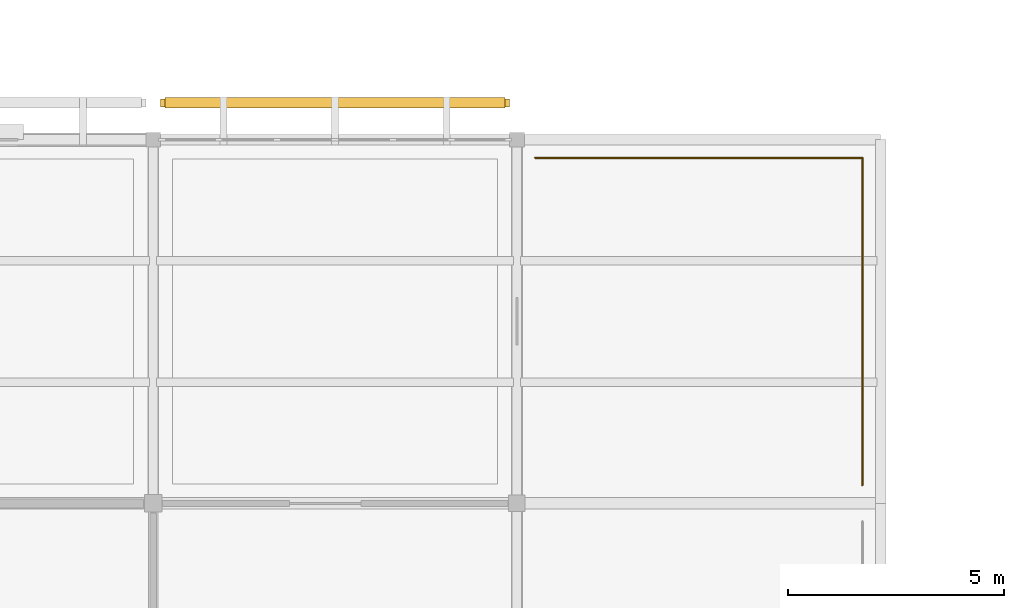
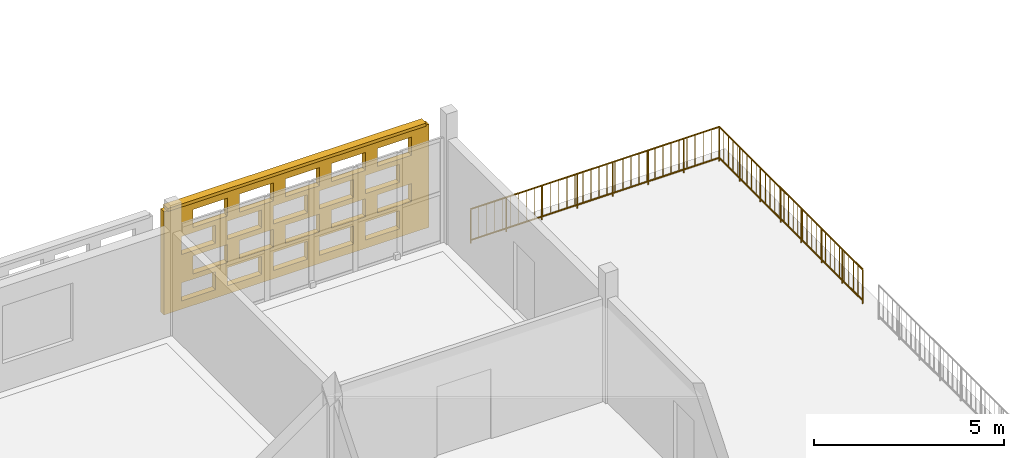
# One storey, part 105 of 140: 2 railings, 1 covering, 1 shading device, 20 openings.
"""IFC4 building model written with IfcOpenShell, lengths in metres."""

import ifcopenshell
import ifcopenshell.guid

model = None  # the IFC model being written
_history = None  # IfcOwnerHistory: only IFC2X3 demands one
_inside = {}  # id of a spatial element -> (the spatial element, [elements in it])
_under = {}  # id of a project, library or spatial element -> (it, [spatial elements below it])
_declared = {}  # id of a project -> (the project, [libraries it declares])
_typed = {}  # id of a type object -> (the type object, [elements of that type])
_made_of = {}  # id of a material, layer set ... -> (it, [elements and type objects made of it])


def new_model(schema):
    """Start an empty IFC model of exactly this schema.

    Asked for "IFC4X3", IfcOpenShell would pick the latest addendum, in which some entities
    have other attributes; the version numbers below select the first issue.
    IFC2X3 requires an IfcOwnerHistory on every rooted entity: one is made here for all.
    """
    global model, _history
    if schema == "IFC4X3":
        model = ifcopenshell.file(schema_version=(4, 3, 0, 0))
    else:
        model = ifcopenshell.file(schema=schema)
    _inside.clear()
    _under.clear()
    _declared.clear()
    _typed.clear()
    _made_of.clear()
    _history = None
    if model.schema == "IFC2X3":
        org = make("IfcOrganization", Name="unknown")
        user = make(
            "IfcPersonAndOrganization",
            ThePerson=make("IfcPerson", FamilyName="unknown"),
            TheOrganization=org,
        )
        app = make(
            "IfcApplication",
            ApplicationDeveloper=org,
            Version="unknown",
            ApplicationFullName="unknown",
            ApplicationIdentifier="unknown",
        )
        _history = make(
            "IfcOwnerHistory",
            OwningUser=user,
            OwningApplication=app,
            ChangeAction="ADDED",
            CreationDate=0,
        )
    return model


def make(cls, **values):
    """One entity of the class cls with the attributes given. An attribute that is None is left unset."""
    return model.create_entity(
        cls, **{name: value for name, value in values.items() if value is not None}
    )


def rooted(cls, **values):
    """An entity with a GlobalId (a new one), such as an element, a storey or a relation."""
    return make(cls, GlobalId=ifcopenshell.guid.new(), OwnerHistory=_history, **values)


def si_unit(unit_type, name, prefix=None):
    """IfcSIUnit, for example si_unit("LENGTHUNIT", "METRE", prefix="MILLI")."""
    return make("IfcSIUnit", UnitType=unit_type, Prefix=prefix, Name=name)


def assignment(units):
    """IfcUnitAssignment: the units of a project."""
    return None if units is None else make("IfcUnitAssignment", Units=units)


def point(xyz):
    """IfcCartesianPoint."""
    return None if xyz is None else make("IfcCartesianPoint", Coordinates=xyz)


def direction(xyz):
    """IfcDirection."""
    return None if xyz is None else make("IfcDirection", DirectionRatios=xyz)


def frame(location, z_axis=None, x_axis=None):
    """IfcAxis2Placement3D, a coordinate frame: its origin and axes. An axis left out is left unset."""
    return make(
        "IfcAxis2Placement3D",
        Location=point(location),
        Axis=direction(z_axis),
        RefDirection=direction(x_axis),
    )


def frame_2d(location, x_axis=None):
    """IfcAxis2Placement2D, a coordinate frame in the plane: its origin and x axis."""
    return make(
        "IfcAxis2Placement2D", Location=point(location), RefDirection=direction(x_axis)
    )


def origin():
    """The frame at (0, 0, 0) with its axes left unset."""
    return frame((0.0, 0.0, 0.0))


def origin_2d():
    """The frame at (0, 0) in the plane with its x axis left unset."""
    return frame_2d((0.0, 0.0))


def place(relative_to, where):
    """IfcLocalPlacement: puts the frame where relative to a parent placement (None: the world)."""
    return make(
        "IfcLocalPlacement", PlacementRelTo=relative_to, RelativePlacement=where
    )


def context(
    kind, dimensions, precision=None, world=None, true_north=None, identifier=None
):
    """IfcGeometricRepresentationContext, for example the 3D "Model" context."""
    return make(
        "IfcGeometricRepresentationContext",
        ContextIdentifier=identifier,
        ContextType=kind,
        CoordinateSpaceDimension=dimensions,
        Precision=precision,
        WorldCoordinateSystem=world,
        TrueNorth=true_north,
    )


def subcontext(parent, identifier, kind, view, scale=None):
    """IfcGeometricRepresentationSubContext, for example "Body" below "Model"."""
    return make(
        "IfcGeometricRepresentationSubContext",
        ContextIdentifier=identifier,
        ContextType=kind,
        ParentContext=parent,
        TargetScale=scale,
        TargetView=view,
    )


def project(units=None, contexts=None):
    """IfcProject with its units and contexts."""
    return rooted(
        "IfcProject",
        Name="project",
        RepresentationContexts=contexts,
        UnitsInContext=assignment(units),
    )


def spatial(cls, under=None, at=None, **own):
    """A site, building, storey or space (cls), placed at a placement, below another one or the project."""
    s = rooted(cls, ObjectPlacement=at, **own)
    if under is not None:
        _under.setdefault(under.id(), (under, []))[1].append(s)
    return s


def profile(cls, at=None, kind="AREA", **sizes):
    """A parametric profile (cls). Its sizes go by their IFC names, for example OverallWidth=200.0."""
    return make(cls, ProfileType=kind, Position=at, **sizes)


def rectangle(**sizes):
    """IfcRectangleProfileDef."""
    return profile("IfcRectangleProfileDef", **sizes)


def circle(**sizes):
    """IfcCircleProfileDef."""
    return profile("IfcCircleProfileDef", **sizes)


def extrude(swept, where, along, depth):
    """IfcExtrudedAreaSolid: the profile swept, set in the frame where, extruded along a direction by depth."""
    return make(
        "IfcExtrudedAreaSolid",
        SweptArea=swept,
        Position=where,
        ExtrudedDirection=direction(along),
        Depth=depth,
    )


def shape(context_of_items, identifier, shape_type, items):
    """IfcShapeRepresentation: the items that make up one representation, for example the "Body"."""
    return make(
        "IfcShapeRepresentation",
        ContextOfItems=context_of_items,
        RepresentationIdentifier=identifier,
        RepresentationType=shape_type,
        Items=items,
    )


def material(Name=None, Category=None):
    """IfcMaterial."""
    return make("IfcMaterial", Name=Name, Category=Category)


def layer(
    of_material, thickness, ventilated=None, Name=None, Category=None, Priority=None
):
    """IfcMaterialLayer: one layer of a wall or slab, of a material (None: an air gap)."""
    return make(
        "IfcMaterialLayer",
        Material=of_material,
        LayerThickness=thickness,
        IsVentilated=ventilated,
        Name=Name,
        Category=Category,
        Priority=Priority,
    )


def layer_set(layers, Name=None):
    """IfcMaterialLayerSet."""
    return make("IfcMaterialLayerSet", MaterialLayers=layers, LayerSetName=Name)


def made_of(thing, what):
    """Note that an element or type object is made of a material, layer set ...; save() writes the relation."""
    if what is not None:
        _made_of.setdefault(what.id(), (what, []))[1].append(thing)
    return thing


def type_object(cls, material=None, **own):
    """A type object (cls), such as IfcWallType, which elements share."""
    return made_of(rooted(cls, **own), material)


def element(
    cls,
    number,
    at=None,
    inside=None,
    cuts=None,
    type_object=None,
    material=None,
    context=None,
    identifier="Body",
    shape_type=None,
    held_by="IfcProductDefinitionShape",
    body=None,
    shapes=None,
    **own,
):
    """One element of the class cls, such as IfcWall. Its Tag is "e" and its number.

    at: its placement. inside: the storey or other place that contains it. cuts: it is an
    opening in that element (IfcRelVoidsElement). A single representation is given by context,
    identifier, shape_type and body (its items); several are given by shapes. held_by: the class
    of the entity that holds the representations. save() writes the other relations.
    """
    e = rooted(cls, Tag="e%d" % number, ObjectPlacement=at, **own)
    if body is not None:
        shapes = [shape(context, identifier, shape_type, body)]
    if shapes is not None:
        e.Representation = make(held_by, Representations=shapes)
    if inside is not None:
        _inside.setdefault(inside.id(), (inside, []))[1].append(e)
    if cuts is not None:
        rooted(
            "IfcRelVoidsElement", RelatingBuildingElement=cuts, RelatedOpeningElement=e
        )
    if type_object is not None:
        _typed.setdefault(type_object.id(), (type_object, []))[1].append(e)
    return made_of(e, material)


def aggregate(whole, parts):
    """IfcRelAggregates: a whole, such as a stair, and the parts it consists of."""
    return rooted("IfcRelAggregates", RelatingObject=whole, RelatedObjects=parts)


def save(model, path):
    """Write the relations noted so far, then the file.

    IfcRelAggregates (storeys below a building ...), IfcRelContainedInSpatialStructure (elements
    in a storey), IfcRelDefinesByType, IfcRelAssociatesMaterial and IfcRelDeclares: one each for
    every whole, place, type object, material and project.
    """
    for whole, parts in _under.values():
        aggregate(whole, parts)
    for where, things in _inside.values():
        rooted(
            "IfcRelContainedInSpatialStructure",
            RelatedElements=things,
            RelatingStructure=where,
        )
    for kind, things in _typed.values():
        rooted("IfcRelDefinesByType", RelatedObjects=things, RelatingType=kind)
    for what, things in _made_of.values():
        rooted("IfcRelAssociatesMaterial", RelatedObjects=things, RelatingMaterial=what)
    for by, libraries in _declared.values():
        rooted("IfcRelDeclares", RelatingContext=by, RelatedDefinitions=libraries)
    model.write(path)


model = new_model("IFC4")

# Units and contexts
model_context = context("Model", 3, precision=1e-05, world=origin(), true_north=direction((0.0, 1.0)))
body_context = subcontext(model_context, "Body", "Model", "MODEL_VIEW")
ifc_project = project(units=[si_unit("LENGTHUNIT", "METRE"), si_unit("AREAUNIT", "SQUARE_METRE"), si_unit("VOLUMEUNIT", "CUBIC_METRE"), si_unit("PLANEANGLEUNIT", "RADIAN"), si_unit("MASSUNIT", "GRAM", prefix="KILO")], contexts=[model_context])

# Site, building, storey
site_placement = place(None, origin())
site = spatial("IfcSite", under=ifc_project, at=site_placement, CompositionType="ELEMENT")
building_placement = place(site_placement, origin())
building = spatial("IfcBuilding", under=site, at=building_placement, Name="Varnapada Polytechnic", CompositionType="ELEMENT")
storey_placement = place(building_placement, frame((0.0, 0.0, 13.800048828125)))
storey = spatial("IfcBuildingStorey", under=building, at=storey_placement, Name="L03", CompositionType="ELEMENT", Elevation=13.800048828125)

# Railings
ifc_material_1 = material(Name="Painted galvanized steel", Category="steel")
railing_type = type_object("IfcRailingType", Name="Terrace Guard Rail GRD-01", PredefinedType="BALUSTRADE", material=ifc_material_1)
railing_1_placement = place(storey_placement, frame((50.820068359375, 41.580078125, 0.0)))
element("IfcRailing", 1, at=railing_1_placement, inside=storey, type_object=railing_type, Name="L03 terrace perimeter guard rail 5", PredefinedType="BALUSTRADE", context=body_context, shape_type="SweptSolid", body=[
    extrude(circle(Radius=0.02392578125, at=origin_2d()), frame((0.0, 0.0, 1.09619140625), z_axis=(1.0, 0.0, 0.0), x_axis=(0.0, 1.0, 0.0)), (0.0, 0.0, 1.0), 7.559814453125),
    extrude(circle(Radius=0.02392578125, at=origin_2d()), frame((0.0, 0.0, 0.10009765625), z_axis=(1.0, 0.0, 0.0), x_axis=(0.0, 1.0, 0.0)), (0.0, 0.0, 1.0), 7.559814453125),
    extrude(circle(Radius=0.02099609375, at=origin_2d()), origin(), (0.0, 0.0, 1.0), 1.072021484375),
    extrude(circle(Radius=0.02099609375, at=origin_2d()), frame((1.080078125, 0.0, 0.0)), (0.0, 0.0, 1.0), 1.072021484375),
    extrude(circle(Radius=0.02099609375, at=origin_2d()), frame((2.159912109375, 0.0, 0.0)), (0.0, 0.0, 1.0), 1.072021484375),
    extrude(circle(Radius=0.02099609375, at=origin_2d()), frame((3.239990234375, 0.0, 0.0)), (0.0, 0.0, 1.0), 1.072021484375),
    extrude(circle(Radius=0.02099609375, at=origin_2d()), frame((4.31982421875, 0.0, 0.0)), (0.0, 0.0, 1.0), 1.072021484375),
    extrude(circle(Radius=0.02099609375, at=origin_2d()), frame((5.39990234375, 0.0, 0.0)), (0.0, 0.0, 1.0), 1.072021484375),
    extrude(circle(Radius=0.02099609375, at=origin_2d()), frame((6.479736328125, 0.0, 0.0)), (0.0, 0.0, 1.0), 1.072021484375),
    extrude(circle(Radius=0.02099609375, at=origin_2d()), frame((7.559814453125, 0.0, 0.0)), (0.0, 0.0, 1.0), 1.072021484375),
    extrude(circle(Radius=0.010009765625, at=origin_2d()), frame((0.243896484375, 0.0, 0.10009765625)), (0.0, 0.0, 1.0), 0.971923828125),
    extrude(circle(Radius=0.010009765625, at=origin_2d()), frame((0.48779296875, 0.0, 0.10009765625)), (0.0, 0.0, 1.0), 0.971923828125),
    extrude(circle(Radius=0.010009765625, at=origin_2d()), frame((0.731689453125, 0.0, 0.10009765625)), (0.0, 0.0, 1.0), 0.971923828125),
    extrude(circle(Radius=0.010009765625, at=origin_2d()), frame((0.975341796875, 0.0, 0.10009765625)), (0.0, 0.0, 1.0), 0.971923828125),
    extrude(circle(Radius=0.010009765625, at=origin_2d()), frame((1.21923828125, 0.0, 0.10009765625)), (0.0, 0.0, 1.0), 0.971923828125),
    extrude(circle(Radius=0.010009765625, at=origin_2d()), frame((1.463134765625, 0.0, 0.10009765625)), (0.0, 0.0, 1.0), 0.971923828125),
    extrude(circle(Radius=0.010009765625, at=origin_2d()), frame((1.70703125, 0.0, 0.10009765625)), (0.0, 0.0, 1.0), 0.971923828125),
    extrude(circle(Radius=0.010009765625, at=origin_2d()), frame((1.950927734375, 0.0, 0.10009765625)), (0.0, 0.0, 1.0), 0.971923828125),
    extrude(circle(Radius=0.010009765625, at=origin_2d()), frame((2.19482421875, 0.0, 0.10009765625)), (0.0, 0.0, 1.0), 0.971923828125),
    extrude(circle(Radius=0.010009765625, at=origin_2d()), frame((2.438720703125, 0.0, 0.10009765625)), (0.0, 0.0, 1.0), 0.971923828125),
    extrude(circle(Radius=0.010009765625, at=origin_2d()), frame((2.6826171875, 0.0, 0.10009765625)), (0.0, 0.0, 1.0), 0.971923828125),
    extrude(circle(Radius=0.010009765625, at=origin_2d()), frame((2.92626953125, 0.0, 0.10009765625)), (0.0, 0.0, 1.0), 0.971923828125),
    extrude(circle(Radius=0.010009765625, at=origin_2d()), frame((3.170166015625, 0.0, 0.10009765625)), (0.0, 0.0, 1.0), 0.971923828125),
    extrude(circle(Radius=0.010009765625, at=origin_2d()), frame((3.4140625, 0.0, 0.10009765625)), (0.0, 0.0, 1.0), 0.971923828125),
    extrude(circle(Radius=0.010009765625, at=origin_2d()), frame((3.657958984375, 0.0, 0.10009765625)), (0.0, 0.0, 1.0), 0.971923828125),
    extrude(circle(Radius=0.010009765625, at=origin_2d()), frame((3.90185546875, 0.0, 0.10009765625)), (0.0, 0.0, 1.0), 0.971923828125),
    extrude(circle(Radius=0.010009765625, at=origin_2d()), frame((4.145751953125, 0.0, 0.10009765625)), (0.0, 0.0, 1.0), 0.971923828125),
    extrude(circle(Radius=0.010009765625, at=origin_2d()), frame((4.3896484375, 0.0, 0.10009765625)), (0.0, 0.0, 1.0), 0.971923828125),
    extrude(circle(Radius=0.010009765625, at=origin_2d()), frame((4.633544921875, 0.0, 0.10009765625)), (0.0, 0.0, 1.0), 0.971923828125),
    extrude(circle(Radius=0.010009765625, at=origin_2d()), frame((4.877197265625, 0.0, 0.10009765625)), (0.0, 0.0, 1.0), 0.971923828125),
    extrude(circle(Radius=0.010009765625, at=origin_2d()), frame((5.12109375, 0.0, 0.10009765625)), (0.0, 0.0, 1.0), 0.971923828125),
    extrude(circle(Radius=0.010009765625, at=origin_2d()), frame((5.364990234375, 0.0, 0.10009765625)), (0.0, 0.0, 1.0), 0.971923828125),
    extrude(circle(Radius=0.010009765625, at=origin_2d()), frame((5.60888671875, 0.0, 0.10009765625)), (0.0, 0.0, 1.0), 0.971923828125),
    extrude(circle(Radius=0.010009765625, at=origin_2d()), frame((5.852783203125, 0.0, 0.10009765625)), (0.0, 0.0, 1.0), 0.971923828125),
    extrude(circle(Radius=0.010009765625, at=origin_2d()), frame((6.0966796875, 0.0, 0.10009765625)), (0.0, 0.0, 1.0), 0.971923828125),
    extrude(circle(Radius=0.010009765625, at=origin_2d()), frame((6.340576171875, 0.0, 0.10009765625)), (0.0, 0.0, 1.0), 0.971923828125),
    extrude(circle(Radius=0.010009765625, at=origin_2d()), frame((6.58447265625, 0.0, 0.10009765625)), (0.0, 0.0, 1.0), 0.971923828125),
    extrude(circle(Radius=0.010009765625, at=origin_2d()), frame((6.828125, 0.0, 0.10009765625)), (0.0, 0.0, 1.0), 0.971923828125),
    extrude(circle(Radius=0.010009765625, at=origin_2d()), frame((7.072021484375, 0.0, 0.10009765625)), (0.0, 0.0, 1.0), 0.971923828125),
    extrude(circle(Radius=0.010009765625, at=origin_2d()), frame((7.31591796875, 0.0, 0.10009765625)), (0.0, 0.0, 1.0), 0.971923828125),
])
railing_2_placement = place(storey_placement, frame((58.3798828125, 34.02001953125, 0.0)))
element("IfcRailing", 2, at=railing_2_placement, inside=storey, type_object=railing_type, Name="L03 terrace perimeter guard rail 6", PredefinedType="BALUSTRADE", context=body_context, shape_type="SweptSolid", body=[
    extrude(circle(Radius=0.02392578125, at=origin_2d()), frame((0.0, 0.0, 1.09619140625), z_axis=(0.0, 1.0, 0.0), x_axis=(-1.0, 0.0, 0.0)), (0.0, 0.0, 1.0), 7.56005859375),
    extrude(circle(Radius=0.02392578125, at=origin_2d()), frame((0.0, 0.0, 0.10009765625), z_axis=(0.0, 1.0, 0.0), x_axis=(-1.0, 0.0, 0.0)), (0.0, 0.0, 1.0), 7.56005859375),
    extrude(circle(Radius=0.02099609375, at=origin_2d()), origin(), (0.0, 0.0, 1.0), 1.072021484375),
    extrude(circle(Radius=0.02099609375, at=origin_2d()), frame((0.0, 1.080078125, 0.0)), (0.0, 0.0, 1.0), 1.072021484375),
    extrude(circle(Radius=0.02099609375, at=origin_2d()), frame((0.0, 2.159912109375, 0.0)), (0.0, 0.0, 1.0), 1.072021484375),
    extrude(circle(Radius=0.02099609375, at=origin_2d()), frame((0.0, 3.239990234375, 0.0)), (0.0, 0.0, 1.0), 1.072021484375),
    extrude(circle(Radius=0.02099609375, at=origin_2d()), frame((0.0, 4.320068359375, 0.0)), (0.0, 0.0, 1.0), 1.072021484375),
    extrude(circle(Radius=0.02099609375, at=origin_2d()), frame((0.0, 5.400146484375, 0.0)), (0.0, 0.0, 1.0), 1.072021484375),
    extrude(circle(Radius=0.02099609375, at=origin_2d()), frame((0.0, 6.47998046875, 0.0)), (0.0, 0.0, 1.0), 1.072021484375),
    extrude(circle(Radius=0.02099609375, at=origin_2d()), frame((0.0, 7.56005859375, 0.0)), (0.0, 0.0, 1.0), 1.072021484375),
    extrude(circle(Radius=0.010009765625, at=origin_2d()), frame((0.0, 0.243896484375, 0.10009765625)), (0.0, 0.0, 1.0), 0.971923828125),
    extrude(circle(Radius=0.010009765625, at=origin_2d()), frame((0.0, 0.48779296875, 0.10009765625)), (0.0, 0.0, 1.0), 0.971923828125),
    extrude(circle(Radius=0.010009765625, at=origin_2d()), frame((0.0, 0.731689453125, 0.10009765625)), (0.0, 0.0, 1.0), 0.971923828125),
    extrude(circle(Radius=0.010009765625, at=origin_2d()), frame((0.0, 0.9755859375, 0.10009765625)), (0.0, 0.0, 1.0), 0.971923828125),
    extrude(circle(Radius=0.010009765625, at=origin_2d()), frame((0.0, 1.219482421875, 0.10009765625)), (0.0, 0.0, 1.0), 0.971923828125),
    extrude(circle(Radius=0.010009765625, at=origin_2d()), frame((0.0, 1.463134765625, 0.10009765625)), (0.0, 0.0, 1.0), 0.971923828125),
    extrude(circle(Radius=0.010009765625, at=origin_2d()), frame((0.0, 1.70703125, 0.10009765625)), (0.0, 0.0, 1.0), 0.971923828125),
    extrude(circle(Radius=0.010009765625, at=origin_2d()), frame((0.0, 1.950927734375, 0.10009765625)), (0.0, 0.0, 1.0), 0.971923828125),
    extrude(circle(Radius=0.010009765625, at=origin_2d()), frame((0.0, 2.19482421875, 0.10009765625)), (0.0, 0.0, 1.0), 0.971923828125),
    extrude(circle(Radius=0.010009765625, at=origin_2d()), frame((0.0, 2.438720703125, 0.10009765625)), (0.0, 0.0, 1.0), 0.971923828125),
    extrude(circle(Radius=0.010009765625, at=origin_2d()), frame((0.0, 2.6826171875, 0.10009765625)), (0.0, 0.0, 1.0), 0.971923828125),
    extrude(circle(Radius=0.010009765625, at=origin_2d()), frame((0.0, 2.926513671875, 0.10009765625)), (0.0, 0.0, 1.0), 0.971923828125),
    extrude(circle(Radius=0.010009765625, at=origin_2d()), frame((0.0, 3.17041015625, 0.10009765625)), (0.0, 0.0, 1.0), 0.971923828125),
    extrude(circle(Radius=0.010009765625, at=origin_2d()), frame((0.0, 3.414306640625, 0.10009765625)), (0.0, 0.0, 1.0), 0.971923828125),
    extrude(circle(Radius=0.010009765625, at=origin_2d()), frame((0.0, 3.658203125, 0.10009765625)), (0.0, 0.0, 1.0), 0.971923828125),
    extrude(circle(Radius=0.010009765625, at=origin_2d()), frame((0.0, 3.90185546875, 0.10009765625)), (0.0, 0.0, 1.0), 0.971923828125),
    extrude(circle(Radius=0.010009765625, at=origin_2d()), frame((0.0, 4.145751953125, 0.10009765625)), (0.0, 0.0, 1.0), 0.971923828125),
    extrude(circle(Radius=0.010009765625, at=origin_2d()), frame((0.0, 4.3896484375, 0.10009765625)), (0.0, 0.0, 1.0), 0.971923828125),
    extrude(circle(Radius=0.010009765625, at=origin_2d()), frame((0.0, 4.633544921875, 0.10009765625)), (0.0, 0.0, 1.0), 0.971923828125),
    extrude(circle(Radius=0.010009765625, at=origin_2d()), frame((0.0, 4.87744140625, 0.10009765625)), (0.0, 0.0, 1.0), 0.971923828125),
    extrude(circle(Radius=0.010009765625, at=origin_2d()), frame((0.0, 5.121337890625, 0.10009765625)), (0.0, 0.0, 1.0), 0.971923828125),
    extrude(circle(Radius=0.010009765625, at=origin_2d()), frame((0.0, 5.365234375, 0.10009765625)), (0.0, 0.0, 1.0), 0.971923828125),
    extrude(circle(Radius=0.010009765625, at=origin_2d()), frame((0.0, 5.609130859375, 0.10009765625)), (0.0, 0.0, 1.0), 0.971923828125),
    extrude(circle(Radius=0.010009765625, at=origin_2d()), frame((0.0, 5.85302734375, 0.10009765625)), (0.0, 0.0, 1.0), 0.971923828125),
    extrude(circle(Radius=0.010009765625, at=origin_2d()), frame((0.0, 6.096923828125, 0.10009765625)), (0.0, 0.0, 1.0), 0.971923828125),
    extrude(circle(Radius=0.010009765625, at=origin_2d()), frame((0.0, 6.340576171875, 0.10009765625)), (0.0, 0.0, 1.0), 0.971923828125),
    extrude(circle(Radius=0.010009765625, at=origin_2d()), frame((0.0, 6.58447265625, 0.10009765625)), (0.0, 0.0, 1.0), 0.971923828125),
    extrude(circle(Radius=0.010009765625, at=origin_2d()), frame((0.0, 6.828369140625, 0.10009765625)), (0.0, 0.0, 1.0), 0.971923828125),
    extrude(circle(Radius=0.010009765625, at=origin_2d()), frame((0.0, 7.072265625, 0.10009765625)), (0.0, 0.0, 1.0), 0.971923828125),
    extrude(circle(Radius=0.010009765625, at=origin_2d()), frame((0.0, 7.316162109375, 0.10009765625)), (0.0, 0.0, 1.0), 0.971923828125),
])

# Covering, openings
ifc_material_2 = material(Name="Earth-toned architectural terracotta screen block", Category="masonry")
ifc_layer_1 = layer(ifc_material_2, 0.1201171875)
ifc_layer_set_1 = layer_set([ifc_layer_1], Name="Earth-toned architectural terracotta screen block")
covering_type = type_object("IfcCoveringType", Name="Terracotta Screen Cladding CLD-01", PredefinedType="CLADDING", material=ifc_layer_set_1)
covering_placement = place(storey_placement, frame((42.169921875, 42.85009765625, 0.0), z_axis=(0.0, 0.0, 1.0), x_axis=(1.0, 0.0, 0.0)))
covering = element("IfcCovering", 3, at=covering_placement, inside=storey, type_object=covering_type, Name="L03 perforated terracotta block screen (39)", PredefinedType="CLADDING", context=body_context, shape_type="SweptSolid", body=[
    extrude(rectangle(XDim=8.06005859375, YDim=0.179931640625, at=frame_2d((4.030029296875, 0.0))), origin(), (0.0, 0.0, 1.0), 3.320068359375),
])
opening_1_placement = place(covering_placement, frame((0.530029296875, 0.0, 0.265625)))
element("IfcOpeningElement", 4, at=opening_1_placement, cuts=covering, Name="Screen perforation TBS-L03-038.1", PredefinedType="OPENING", context=body_context, shape_type="SweptSolid", body=[
    extrude(rectangle(XDim=1.0400390625, YDim=0.5810546875, at=frame_2d((0.52001953125, 0.29052734375))), frame((0.0, 0.099853515625, 0.0), z_axis=(0.0, -1.0, 0.0), x_axis=(1.0, 0.0, 0.0)), (0.0, 0.0, 1.0), 0.199951171875),
])
opening_2_placement = place(covering_placement, frame((1.929931640625, 0.0, 0.265625)))
element("IfcOpeningElement", 5, at=opening_2_placement, cuts=covering, Name="Screen perforation TBS-L03-038.2", PredefinedType="OPENING", context=body_context, shape_type="SweptSolid", body=[
    extrude(rectangle(XDim=1.0400390625, YDim=0.5810546875, at=frame_2d((0.52001953125, 0.29052734375))), frame((0.0, 0.099853515625, 0.0), z_axis=(0.0, -1.0, 0.0), x_axis=(1.0, 0.0, 0.0)), (0.0, 0.0, 1.0), 0.199951171875),
])
opening_3_placement = place(covering_placement, frame((3.330078125, 0.0, 0.265625)))
element("IfcOpeningElement", 6, at=opening_3_placement, cuts=covering, Name="Screen perforation TBS-L03-038.3", PredefinedType="OPENING", context=body_context, shape_type="SweptSolid", body=[
    extrude(rectangle(XDim=1.0400390625, YDim=0.5810546875, at=frame_2d((0.52001953125, 0.29052734375))), frame((0.0, 0.099853515625, 0.0), z_axis=(0.0, -1.0, 0.0), x_axis=(1.0, 0.0, 0.0)), (0.0, 0.0, 1.0), 0.199951171875),
])
opening_4_placement = place(covering_placement, frame((4.72998046875, 0.0, 0.265625)))
element("IfcOpeningElement", 7, at=opening_4_placement, cuts=covering, Name="Screen perforation TBS-L03-038.4", PredefinedType="OPENING", context=body_context, shape_type="SweptSolid", body=[
    extrude(rectangle(XDim=1.0400390625, YDim=0.5810546875, at=frame_2d((0.52001953125, 0.29052734375))), frame((0.0, 0.099853515625, 0.0), z_axis=(0.0, -1.0, 0.0), x_axis=(1.0, 0.0, 0.0)), (0.0, 0.0, 1.0), 0.199951171875),
])
opening_5_placement = place(covering_placement, frame((6.1298828125, 0.0, 0.265625)))
element("IfcOpeningElement", 8, at=opening_5_placement, cuts=covering, Name="Screen perforation TBS-L03-038.5", PredefinedType="OPENING", context=body_context, shape_type="SweptSolid", body=[
    extrude(rectangle(XDim=1.0400390625, YDim=0.5810546875, at=frame_2d((0.52001953125, 0.29052734375))), frame((0.0, 0.099853515625, 0.0), z_axis=(0.0, -1.0, 0.0), x_axis=(1.0, 0.0, 0.0)), (0.0, 0.0, 1.0), 0.199951171875),
])
opening_6_placement = place(covering_placement, frame((0.889892578125, 0.0, 1.0126953125)))
element("IfcOpeningElement", 9, at=opening_6_placement, cuts=covering, Name="Screen perforation TBS-L03-038.6", PredefinedType="OPENING", context=body_context, shape_type="SweptSolid", body=[
    extrude(rectangle(XDim=1.0400390625, YDim=0.5810546875, at=frame_2d((0.52001953125, 0.29052734375))), frame((0.0, 0.099853515625, 0.0), z_axis=(0.0, -1.0, 0.0), x_axis=(1.0, 0.0, 0.0)), (0.0, 0.0, 1.0), 0.199951171875),
])
opening_7_placement = place(covering_placement, frame((2.2900390625, 0.0, 1.0126953125)))
element("IfcOpeningElement", 10, at=opening_7_placement, cuts=covering, Name="Screen perforation TBS-L03-038.7", PredefinedType="OPENING", context=body_context, shape_type="SweptSolid", body=[
    extrude(rectangle(XDim=1.0400390625, YDim=0.5810546875, at=frame_2d((0.52001953125, 0.29052734375))), frame((0.0, 0.099853515625, 0.0), z_axis=(0.0, -1.0, 0.0), x_axis=(1.0, 0.0, 0.0)), (0.0, 0.0, 1.0), 0.199951171875),
])
opening_8_placement = place(covering_placement, frame((3.68994140625, 0.0, 1.0126953125)))
element("IfcOpeningElement", 11, at=opening_8_placement, cuts=covering, Name="Screen perforation TBS-L03-038.8", PredefinedType="OPENING", context=body_context, shape_type="SweptSolid", body=[
    extrude(rectangle(XDim=1.0400390625, YDim=0.5810546875, at=frame_2d((0.52001953125, 0.29052734375))), frame((0.0, 0.099853515625, 0.0), z_axis=(0.0, -1.0, 0.0), x_axis=(1.0, 0.0, 0.0)), (0.0, 0.0, 1.0), 0.199951171875),
])
opening_9_placement = place(covering_placement, frame((5.090087890625, 0.0, 1.0126953125)))
element("IfcOpeningElement", 12, at=opening_9_placement, cuts=covering, Name="Screen perforation TBS-L03-038.9", PredefinedType="OPENING", context=body_context, shape_type="SweptSolid", body=[
    extrude(rectangle(XDim=1.0400390625, YDim=0.5810546875, at=frame_2d((0.52001953125, 0.29052734375))), frame((0.0, 0.099853515625, 0.0), z_axis=(0.0, -1.0, 0.0), x_axis=(1.0, 0.0, 0.0)), (0.0, 0.0, 1.0), 0.199951171875),
])
opening_10_placement = place(covering_placement, frame((6.489990234375, 0.0, 1.0126953125)))
element("IfcOpeningElement", 13, at=opening_10_placement, cuts=covering, Name="Screen perforation TBS-L03-038.10", PredefinedType="OPENING", context=body_context, shape_type="SweptSolid", body=[
    extrude(rectangle(XDim=1.0400390625, YDim=0.5810546875, at=frame_2d((0.52001953125, 0.29052734375))), frame((0.0, 0.099853515625, 0.0), z_axis=(0.0, -1.0, 0.0), x_axis=(1.0, 0.0, 0.0)), (0.0, 0.0, 1.0), 0.199951171875),
])
opening_11_placement = place(covering_placement, frame((0.530029296875, 0.0, 1.759521484375)))
element("IfcOpeningElement", 14, at=opening_11_placement, cuts=covering, Name="Screen perforation TBS-L03-038.11", PredefinedType="OPENING", context=body_context, shape_type="SweptSolid", body=[
    extrude(rectangle(XDim=1.0400390625, YDim=0.5810546875, at=frame_2d((0.52001953125, 0.29052734375))), frame((0.0, 0.099853515625, 0.0), z_axis=(0.0, -1.0, 0.0), x_axis=(1.0, 0.0, 0.0)), (0.0, 0.0, 1.0), 0.199951171875),
])
opening_12_placement = place(covering_placement, frame((1.929931640625, 0.0, 1.759521484375)))
element("IfcOpeningElement", 15, at=opening_12_placement, cuts=covering, Name="Screen perforation TBS-L03-038.12", PredefinedType="OPENING", context=body_context, shape_type="SweptSolid", body=[
    extrude(rectangle(XDim=1.0400390625, YDim=0.5810546875, at=frame_2d((0.52001953125, 0.29052734375))), frame((0.0, 0.099853515625, 0.0), z_axis=(0.0, -1.0, 0.0), x_axis=(1.0, 0.0, 0.0)), (0.0, 0.0, 1.0), 0.199951171875),
])
opening_13_placement = place(covering_placement, frame((3.330078125, 0.0, 1.759521484375)))
element("IfcOpeningElement", 16, at=opening_13_placement, cuts=covering, Name="Screen perforation TBS-L03-038.13", PredefinedType="OPENING", context=body_context, shape_type="SweptSolid", body=[
    extrude(rectangle(XDim=1.0400390625, YDim=0.5810546875, at=frame_2d((0.52001953125, 0.29052734375))), frame((0.0, 0.099853515625, 0.0), z_axis=(0.0, -1.0, 0.0), x_axis=(1.0, 0.0, 0.0)), (0.0, 0.0, 1.0), 0.199951171875),
])
opening_14_placement = place(covering_placement, frame((4.72998046875, 0.0, 1.759521484375)))
element("IfcOpeningElement", 17, at=opening_14_placement, cuts=covering, Name="Screen perforation TBS-L03-038.14", PredefinedType="OPENING", context=body_context, shape_type="SweptSolid", body=[
    extrude(rectangle(XDim=1.0400390625, YDim=0.5810546875, at=frame_2d((0.52001953125, 0.29052734375))), frame((0.0, 0.099853515625, 0.0), z_axis=(0.0, -1.0, 0.0), x_axis=(1.0, 0.0, 0.0)), (0.0, 0.0, 1.0), 0.199951171875),
])
opening_15_placement = place(covering_placement, frame((6.1298828125, 0.0, 1.759521484375)))
element("IfcOpeningElement", 18, at=opening_15_placement, cuts=covering, Name="Screen perforation TBS-L03-038.15", PredefinedType="OPENING", context=body_context, shape_type="SweptSolid", body=[
    extrude(rectangle(XDim=1.0400390625, YDim=0.5810546875, at=frame_2d((0.52001953125, 0.29052734375))), frame((0.0, 0.099853515625, 0.0), z_axis=(0.0, -1.0, 0.0), x_axis=(1.0, 0.0, 0.0)), (0.0, 0.0, 1.0), 0.199951171875),
])
opening_16_placement = place(covering_placement, frame((0.889892578125, 0.0, 2.506591796875)))
element("IfcOpeningElement", 19, at=opening_16_placement, cuts=covering, Name="Screen perforation TBS-L03-038.16", PredefinedType="OPENING", context=body_context, shape_type="SweptSolid", body=[
    extrude(rectangle(XDim=1.0400390625, YDim=0.5810546875, at=frame_2d((0.52001953125, 0.29052734375))), frame((0.0, 0.099853515625, 0.0), z_axis=(0.0, -1.0, 0.0), x_axis=(1.0, 0.0, 0.0)), (0.0, 0.0, 1.0), 0.199951171875),
])
opening_17_placement = place(covering_placement, frame((2.2900390625, 0.0, 2.506591796875)))
element("IfcOpeningElement", 20, at=opening_17_placement, cuts=covering, Name="Screen perforation TBS-L03-038.17", PredefinedType="OPENING", context=body_context, shape_type="SweptSolid", body=[
    extrude(rectangle(XDim=1.0400390625, YDim=0.5810546875, at=frame_2d((0.52001953125, 0.29052734375))), frame((0.0, 0.099853515625, 0.0), z_axis=(0.0, -1.0, 0.0), x_axis=(1.0, 0.0, 0.0)), (0.0, 0.0, 1.0), 0.199951171875),
])
opening_18_placement = place(covering_placement, frame((3.68994140625, 0.0, 2.506591796875)))
element("IfcOpeningElement", 21, at=opening_18_placement, cuts=covering, Name="Screen perforation TBS-L03-038.18", PredefinedType="OPENING", context=body_context, shape_type="SweptSolid", body=[
    extrude(rectangle(XDim=1.0400390625, YDim=0.5810546875, at=frame_2d((0.52001953125, 0.29052734375))), frame((0.0, 0.099853515625, 0.0), z_axis=(0.0, -1.0, 0.0), x_axis=(1.0, 0.0, 0.0)), (0.0, 0.0, 1.0), 0.199951171875),
])
opening_19_placement = place(covering_placement, frame((5.090087890625, 0.0, 2.506591796875)))
element("IfcOpeningElement", 22, at=opening_19_placement, cuts=covering, Name="Screen perforation TBS-L03-038.19", PredefinedType="OPENING", context=body_context, shape_type="SweptSolid", body=[
    extrude(rectangle(XDim=1.0400390625, YDim=0.5810546875, at=frame_2d((0.52001953125, 0.29052734375))), frame((0.0, 0.099853515625, 0.0), z_axis=(0.0, -1.0, 0.0), x_axis=(1.0, 0.0, 0.0)), (0.0, 0.0, 1.0), 0.199951171875),
])
opening_20_placement = place(covering_placement, frame((6.489990234375, 0.0, 2.506591796875)))
element("IfcOpeningElement", 23, at=opening_20_placement, cuts=covering, Name="Screen perforation TBS-L03-038.20", PredefinedType="OPENING", context=body_context, shape_type="SweptSolid", body=[
    extrude(rectangle(XDim=1.0400390625, YDim=0.5810546875, at=frame_2d((0.52001953125, 0.29052734375))), frame((0.0, 0.099853515625, 0.0), z_axis=(0.0, -1.0, 0.0), x_axis=(1.0, 0.0, 0.0)), (0.0, 0.0, 1.0), 0.199951171875),
])

# Shading device
ifc_layer_2 = layer(ifc_material_2, 0.179931640625)
ifc_layer_set_2 = layer_set([ifc_layer_2], Name="Earth-toned architectural terracotta screen block")
shading_device_type = type_object("IfcShadingDeviceType", Name="Terracotta Screen SCR-01", PredefinedType="USERDEFINED", material=ifc_layer_set_2)
shading_device_placement = place(storey_placement, frame((46.199951171875, 42.85009765625, 3.309814453125), z_axis=(0.0, 0.0, 1.0), x_axis=(1.0, 0.0, 0.0)))
element("IfcShadingDevice", 24, at=shading_device_placement, inside=storey, type_object=shading_device_type, Name="L03 perforated terracotta screen hood 371", ObjectType="SCREEN", PredefinedType="USERDEFINED", context=body_context, shape_type="SweptSolid", body=[
    extrude(rectangle(XDim=7.860107421875, YDim=0.239990234375, at=origin_2d()), origin(), (0.0, 0.0, 1.0), 0.10009765625),
])

save(model, "model.ifc")
